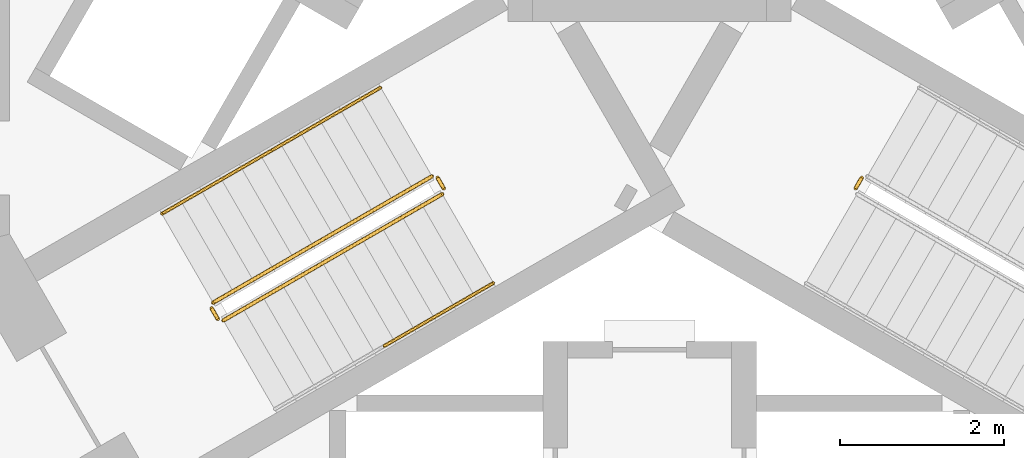
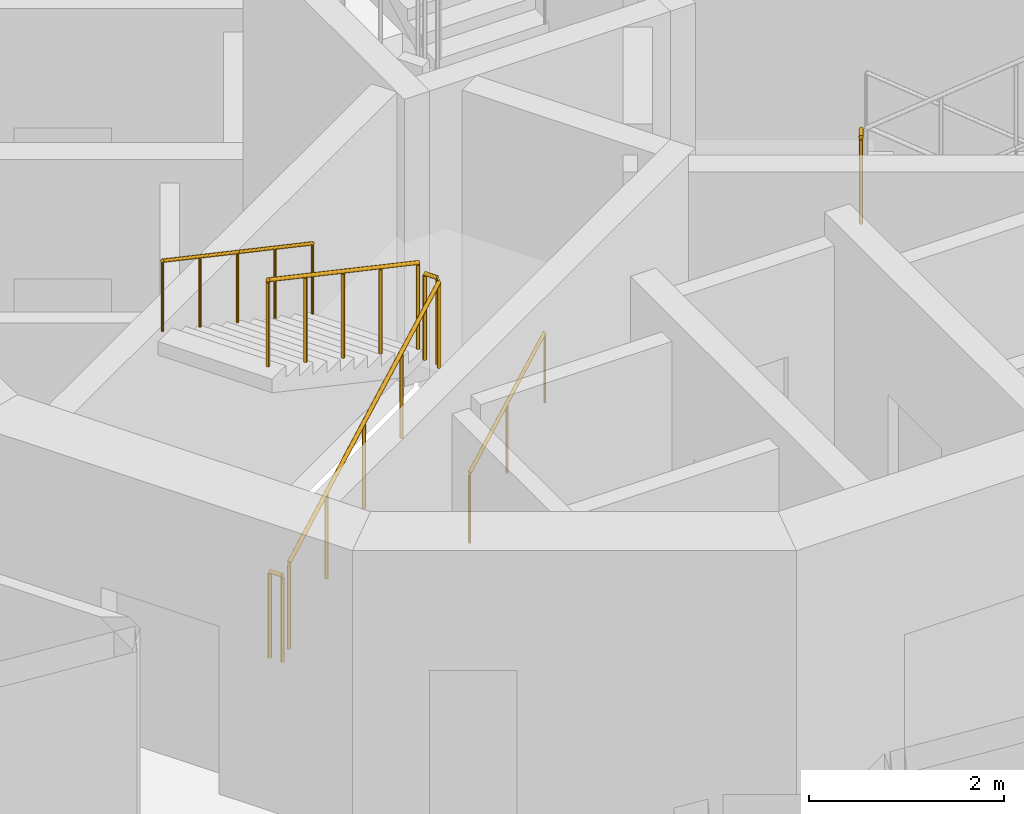
# One storey, part 12 of 17: 8 railings.
"""IFC4 building model written with IfcOpenShell, lengths in metres."""

import ifcopenshell
import ifcopenshell.guid

model = None  # the IFC model being written
_history = None  # IfcOwnerHistory: only IFC2X3 demands one
_inside = {}  # id of a spatial element -> (the spatial element, [elements in it])
_under = {}  # id of a project, library or spatial element -> (it, [spatial elements below it])
_declared = {}  # id of a project -> (the project, [libraries it declares])
_typed = {}  # id of a type object -> (the type object, [elements of that type])
_made_of = {}  # id of a material, layer set ... -> (it, [elements and type objects made of it])


def new_model(schema):
    """Start an empty IFC model of exactly this schema.

    Asked for "IFC4X3", IfcOpenShell would pick the latest addendum, in which some entities
    have other attributes; the version numbers below select the first issue.
    IFC2X3 requires an IfcOwnerHistory on every rooted entity: one is made here for all.
    """
    global model, _history
    if schema == "IFC4X3":
        model = ifcopenshell.file(schema_version=(4, 3, 0, 0))
    else:
        model = ifcopenshell.file(schema=schema)
    _inside.clear()
    _under.clear()
    _declared.clear()
    _typed.clear()
    _made_of.clear()
    _history = None
    if model.schema == "IFC2X3":
        org = make("IfcOrganization", Name="unknown")
        user = make(
            "IfcPersonAndOrganization",
            ThePerson=make("IfcPerson", FamilyName="unknown"),
            TheOrganization=org,
        )
        app = make(
            "IfcApplication",
            ApplicationDeveloper=org,
            Version="unknown",
            ApplicationFullName="unknown",
            ApplicationIdentifier="unknown",
        )
        _history = make(
            "IfcOwnerHistory",
            OwningUser=user,
            OwningApplication=app,
            ChangeAction="ADDED",
            CreationDate=0,
        )
    return model


def make(cls, **values):
    """One entity of the class cls with the attributes given. An attribute that is None is left unset."""
    return model.create_entity(
        cls, **{name: value for name, value in values.items() if value is not None}
    )


def rooted(cls, **values):
    """An entity with a GlobalId (a new one), such as an element, a storey or a relation."""
    return make(cls, GlobalId=ifcopenshell.guid.new(), OwnerHistory=_history, **values)


def si_unit(unit_type, name, prefix=None):
    """IfcSIUnit, for example si_unit("LENGTHUNIT", "METRE", prefix="MILLI")."""
    return make("IfcSIUnit", UnitType=unit_type, Prefix=prefix, Name=name)


def assignment(units):
    """IfcUnitAssignment: the units of a project."""
    return None if units is None else make("IfcUnitAssignment", Units=units)


def point(xyz):
    """IfcCartesianPoint."""
    return None if xyz is None else make("IfcCartesianPoint", Coordinates=xyz)


def direction(xyz):
    """IfcDirection."""
    return None if xyz is None else make("IfcDirection", DirectionRatios=xyz)


def frame(location, z_axis=None, x_axis=None):
    """IfcAxis2Placement3D, a coordinate frame: its origin and axes. An axis left out is left unset."""
    return make(
        "IfcAxis2Placement3D",
        Location=point(location),
        Axis=direction(z_axis),
        RefDirection=direction(x_axis),
    )


def frame_2d(location, x_axis=None):
    """IfcAxis2Placement2D, a coordinate frame in the plane: its origin and x axis."""
    return make(
        "IfcAxis2Placement2D", Location=point(location), RefDirection=direction(x_axis)
    )


def origin():
    """The frame at (0, 0, 0) with its axes left unset."""
    return frame((0.0, 0.0, 0.0))


def origin_2d():
    """The frame at (0, 0) in the plane with its x axis left unset."""
    return frame_2d((0.0, 0.0))


def place(relative_to, where):
    """IfcLocalPlacement: puts the frame where relative to a parent placement (None: the world)."""
    return make(
        "IfcLocalPlacement", PlacementRelTo=relative_to, RelativePlacement=where
    )


def context(
    kind, dimensions, precision=None, world=None, true_north=None, identifier=None
):
    """IfcGeometricRepresentationContext, for example the 3D "Model" context."""
    return make(
        "IfcGeometricRepresentationContext",
        ContextIdentifier=identifier,
        ContextType=kind,
        CoordinateSpaceDimension=dimensions,
        Precision=precision,
        WorldCoordinateSystem=world,
        TrueNorth=true_north,
    )


def subcontext(parent, identifier, kind, view, scale=None):
    """IfcGeometricRepresentationSubContext, for example "Body" below "Model"."""
    return make(
        "IfcGeometricRepresentationSubContext",
        ContextIdentifier=identifier,
        ContextType=kind,
        ParentContext=parent,
        TargetScale=scale,
        TargetView=view,
    )


def project(units=None, contexts=None):
    """IfcProject with its units and contexts."""
    return rooted(
        "IfcProject",
        Name="project",
        RepresentationContexts=contexts,
        UnitsInContext=assignment(units),
    )


def spatial(cls, under=None, at=None, **own):
    """A site, building, storey or space (cls), placed at a placement, below another one or the project."""
    s = rooted(cls, ObjectPlacement=at, **own)
    if under is not None:
        _under.setdefault(under.id(), (under, []))[1].append(s)
    return s


def profile(cls, at=None, kind="AREA", **sizes):
    """A parametric profile (cls). Its sizes go by their IFC names, for example OverallWidth=200.0."""
    return make(cls, ProfileType=kind, Position=at, **sizes)


def circle(**sizes):
    """IfcCircleProfileDef."""
    return profile("IfcCircleProfileDef", **sizes)


def extrude(swept, where, along, depth):
    """IfcExtrudedAreaSolid: the profile swept, set in the frame where, extruded along a direction by depth."""
    return make(
        "IfcExtrudedAreaSolid",
        SweptArea=swept,
        Position=where,
        ExtrudedDirection=direction(along),
        Depth=depth,
    )


def shape(context_of_items, identifier, shape_type, items):
    """IfcShapeRepresentation: the items that make up one representation, for example the "Body"."""
    return make(
        "IfcShapeRepresentation",
        ContextOfItems=context_of_items,
        RepresentationIdentifier=identifier,
        RepresentationType=shape_type,
        Items=items,
    )


def material(Name=None, Category=None):
    """IfcMaterial."""
    return make("IfcMaterial", Name=Name, Category=Category)


def made_of(thing, what):
    """Note that an element or type object is made of a material, layer set ...; save() writes the relation."""
    if what is not None:
        _made_of.setdefault(what.id(), (what, []))[1].append(thing)
    return thing


def type_object(cls, material=None, **own):
    """A type object (cls), such as IfcWallType, which elements share."""
    return made_of(rooted(cls, **own), material)


def element(
    cls,
    number,
    at=None,
    inside=None,
    cuts=None,
    type_object=None,
    material=None,
    context=None,
    identifier="Body",
    shape_type=None,
    held_by="IfcProductDefinitionShape",
    body=None,
    shapes=None,
    **own,
):
    """One element of the class cls, such as IfcWall. Its Tag is "e" and its number.

    at: its placement. inside: the storey or other place that contains it. cuts: it is an
    opening in that element (IfcRelVoidsElement). A single representation is given by context,
    identifier, shape_type and body (its items); several are given by shapes. held_by: the class
    of the entity that holds the representations. save() writes the other relations.
    """
    e = rooted(cls, Tag="e%d" % number, ObjectPlacement=at, **own)
    if body is not None:
        shapes = [shape(context, identifier, shape_type, body)]
    if shapes is not None:
        e.Representation = make(held_by, Representations=shapes)
    if inside is not None:
        _inside.setdefault(inside.id(), (inside, []))[1].append(e)
    if cuts is not None:
        rooted(
            "IfcRelVoidsElement", RelatingBuildingElement=cuts, RelatedOpeningElement=e
        )
    if type_object is not None:
        _typed.setdefault(type_object.id(), (type_object, []))[1].append(e)
    return made_of(e, material)


def aggregate(whole, parts):
    """IfcRelAggregates: a whole, such as a stair, and the parts it consists of."""
    return rooted("IfcRelAggregates", RelatingObject=whole, RelatedObjects=parts)


def save(model, path):
    """Write the relations noted so far, then the file.

    IfcRelAggregates (storeys below a building ...), IfcRelContainedInSpatialStructure (elements
    in a storey), IfcRelDefinesByType, IfcRelAssociatesMaterial and IfcRelDeclares: one each for
    every whole, place, type object, material and project.
    """
    for whole, parts in _under.values():
        aggregate(whole, parts)
    for where, things in _inside.values():
        rooted(
            "IfcRelContainedInSpatialStructure",
            RelatedElements=things,
            RelatingStructure=where,
        )
    for kind, things in _typed.values():
        rooted("IfcRelDefinesByType", RelatedObjects=things, RelatingType=kind)
    for what, things in _made_of.values():
        rooted("IfcRelAssociatesMaterial", RelatedObjects=things, RelatingMaterial=what)
    for by, libraries in _declared.values():
        rooted("IfcRelDeclares", RelatingContext=by, RelatedDefinitions=libraries)
    model.write(path)


model = new_model("IFC4")

# Units and contexts
model_context = context("Model", 3, precision=1e-05, world=origin(), true_north=direction((0.0, 1.0)))
body_context = subcontext(model_context, "Body", "Model", "MODEL_VIEW")
ifc_project = project(units=[si_unit("LENGTHUNIT", "METRE"), si_unit("AREAUNIT", "SQUARE_METRE"), si_unit("VOLUMEUNIT", "CUBIC_METRE"), si_unit("PLANEANGLEUNIT", "RADIAN"), si_unit("MASSUNIT", "GRAM", prefix="KILO")], contexts=[model_context])

# Site, building, storey
site_placement = place(None, origin())
site = spatial("IfcSite", under=ifc_project, at=site_placement, CompositionType="ELEMENT")
building_placement = place(site_placement, origin())
building = spatial("IfcBuilding", under=site, at=building_placement, Name="Trine Commons Tower", CompositionType="ELEMENT")
storey_placement = place(building_placement, frame((0.0, 0.0, 208.800048828125)))
storey = spatial("IfcBuildingStorey", under=building, at=storey_placement, Name="L54", CompositionType="ELEMENT", Elevation=208.800048828125)

# Railings
ifc_material_1 = material(Name="Stainless steel balustrade", Category="steel")
railing_type_1 = type_object("IfcRailingType", Name="Stair guard, steel balustrade 1100", PredefinedType="GUARDRAIL", material=ifc_material_1)
railing_1_placement = place(storey_placement, frame((74.80517578125, 59.3564453125, 0.14990234375)))
element("IfcRailing", 1, at=railing_1_placement, inside=storey, type_object=railing_type_1, Name="L54 ST2C stair guard 1", PredefinedType="GUARDRAIL", context=body_context, shape_type="SweptSolid", body=[
    extrude(circle(Radius=0.02392578125, at=origin_2d()), frame((0.0, 0.0, 1.076171875), z_axis=(0.763379768245, 0.440728498818, 0.472239049384), x_axis=(-0.499992328818, 0.866029832698, 0.0)), (0.0, 0.0, 1.0), 3.494384765625),
    extrude(circle(Radius=0.02099609375, at=origin_2d()), origin(), (0.0, 0.0, 1.0), 1.052001953125),
    extrude(circle(Radius=0.02099609375, at=origin_2d()), frame((0.6669921875, 0.385009765625, 0.41259765625)), (0.0, 0.0, 1.0), 1.052001953125),
    extrude(circle(Radius=0.02099609375, at=origin_2d()), frame((1.333740234375, 0.77001953125, 0.8251953125)), (0.0, 0.0, 1.0), 1.052001953125),
    extrude(circle(Radius=0.02099609375, at=origin_2d()), frame((2.00048828125, 1.155029296875, 1.237548828125)), (0.0, 0.0, 1.0), 1.052001953125),
    extrude(circle(Radius=0.02099609375, at=origin_2d()), frame((2.66748046875, 1.5400390625, 1.650146484375)), (0.0, 0.0, 1.0), 1.052001953125),
])
railing_2_placement = place(storey_placement, frame((77.490966796875, 60.96484375, 1.800048828125)))
element("IfcRailing", 2, at=railing_2_placement, inside=storey, type_object=railing_type_1, Name="L54 ST2C stair guard 2", PredefinedType="GUARDRAIL", context=body_context, shape_type="SweptSolid", body=[
    extrude(circle(Radius=0.02392578125, at=origin_2d()), frame((0.0, 0.0, 1.076171875), z_axis=(-0.501036270542, 0.865426285481, 0.0), x_axis=(-0.865426285481, -0.501036270542, 0.0)), (0.0, 0.0, 1.0), 0.150146484375),
    extrude(circle(Radius=0.02099609375, at=origin_2d()), origin(), (0.0, 0.0, 1.0), 1.052001953125),
    extrude(circle(Radius=0.02099609375, at=origin_2d()), frame((-0.0751953125, 0.1298828125, 0.0)), (0.0, 0.0, 1.0), 1.052001953125),
])
railing_3_placement = place(storey_placement, frame((77.34765625, 61.113037109375, 1.949951171875)))
element("IfcRailing", 3, at=railing_3_placement, inside=storey, type_object=railing_type_1, Name="L54 ST2C stair guard 3", PredefinedType="GUARDRAIL", context=body_context, shape_type="SweptSolid", body=[
    extrude(circle(Radius=0.02392578125, at=origin_2d()), frame((0.0, 0.0, 1.076171875), z_axis=(-0.76340495495, -0.440743040072, 0.472184759798), x_axis=(0.499992328818, -0.866029832698, 0.0)), (0.0, 0.0, 1.0), 3.494140625),
    extrude(circle(Radius=0.02099609375, at=origin_2d()), origin(), (0.0, 0.0, 1.0), 1.052001953125),
    extrude(circle(Radius=0.02099609375, at=origin_2d()), frame((-0.6669921875, -0.385009765625, 0.41259765625)), (0.0, 0.0, 1.0), 1.052001953125),
    extrude(circle(Radius=0.02099609375, at=origin_2d()), frame((-1.333740234375, -0.77001953125, 0.824951171875)), (0.0, 0.0, 1.0), 1.052001953125),
    extrude(circle(Radius=0.02099609375, at=origin_2d()), frame((-2.00048828125, -1.155029296875, 1.2373046875)), (0.0, 0.0, 1.0), 1.052001953125),
    extrude(circle(Radius=0.02099609375, at=origin_2d()), frame((-2.66748046875, -1.5400390625, 1.64990234375)), (0.0, 0.0, 1.0), 1.052001953125),
])
railing_4_placement = place(storey_placement, frame((74.73681640625, 59.374755859375, 0.0)))
element("IfcRailing", 4, at=railing_4_placement, inside=storey, type_object=railing_type_1, Name="L54 ST2C stair guard 4", PredefinedType="GUARDRAIL", context=body_context, shape_type="SweptSolid", body=[
    extrude(circle(Radius=0.02392578125, at=origin_2d()), frame((0.0, 0.0, 1.076171875), z_axis=(-0.499816412211, 0.866131372301, 0.0), x_axis=(-0.866131372301, -0.499816412211, 0.0)), (0.0, 0.0, 1.0), 0.14990234375),
    extrude(circle(Radius=0.02099609375, at=origin_2d()), origin(), (0.0, 0.0, 1.0), 1.052001953125),
    extrude(circle(Radius=0.02099609375, at=origin_2d()), frame((-0.074951171875, 0.1298828125, 0.0)), (0.0, 0.0, 1.0), 1.052001953125),
])
railing_5_placement = place(storey_placement, frame((82.584228515625, 61.0947265625, 1.800048828125)))
element("IfcRailing", 5, at=railing_5_placement, inside=storey, type_object=railing_type_1, Name="L54 ST3C stair guard 2", PredefinedType="GUARDRAIL", context=body_context, shape_type="SweptSolid", body=[
    extrude(circle(Radius=0.02392578125, at=origin_2d()), frame((0.0, 0.0, 1.076171875), z_axis=(-0.501036270542, -0.865426285481, 0.0), x_axis=(0.865426285481, -0.501036270542, 0.0)), (0.0, 0.0, 1.0), 0.150146484375),
    extrude(circle(Radius=0.02099609375, at=origin_2d()), origin(), (0.0, 0.0, 1.0), 1.052001953125),
    extrude(circle(Radius=0.02099609375, at=origin_2d()), frame((-0.0751953125, -0.1298828125, 0.0)), (0.0, 0.0, 1.0), 1.052001953125),
])
ifc_material_2 = material(Name="Stainless steel handrail", Category="steel")
railing_type_2 = type_object("IfcRailingType", Name="Stair handrail, steel 900", PredefinedType="HANDRAIL", material=ifc_material_2)
railing_6_placement = place(storey_placement, frame((76.763916015625, 59.0439453125, 0.974853515625)))
element("IfcRailing", 6, at=railing_6_placement, inside=storey, type_object=railing_type_2, Name="L54 ST2C stair handrail 2", PredefinedType="HANDRAIL", context=body_context, shape_type="SweptSolid", body=[
    extrude(circle(Radius=0.02099609375, at=origin_2d()), frame((0.0, 0.0, 0.87890625), z_axis=(0.763354580307, 0.440713956853, 0.472293333596), x_axis=(-0.499992328818, 0.866029832698, 0.0)), (0.0, 0.0, 1.0), 1.747314453125),
    extrude(circle(Radius=0.01513671875, at=origin_2d()), origin(), (0.0, 0.0, 1.0), 0.85791015625),
    extrude(circle(Radius=0.01513671875, at=origin_2d()), frame((0.6669921875, 0.385009765625, 0.41259765625)), (0.0, 0.0, 1.0), 0.85791015625),
    extrude(circle(Radius=0.01513671875, at=origin_2d()), frame((1.333740234375, 0.77001953125, 0.8251953125)), (0.0, 0.0, 1.0), 0.85791015625),
])
for number, where, name in (
    (7, (76.72265625, 62.195556640625, 1.949951171875), "L54 ST2C stair handrail 3"),
    (8, (75.388916015625, 61.425537109375, 2.77490234375), "L54 ST2C stair handrail 4"),
):
    element("IfcRailing", number, at=place(storey_placement, frame(where)), inside=storey, type_object=railing_type_2, Name=name, PredefinedType="HANDRAIL", context=body_context, shape_type="SweptSolid", body=[
        extrude(circle(Radius=0.02099609375, at=origin_2d()), frame((0.0, 0.0, 0.87890625), z_axis=(-0.76340495495, -0.440743040072, 0.472184759798), x_axis=(0.499992328818, -0.866029832698, 0.0)), (0.0, 0.0, 1.0), 1.7470703125),
        extrude(circle(Radius=0.01513671875, at=origin_2d()), origin(), (0.0, 0.0, 1.0), 0.85791015625),
        extrude(circle(Radius=0.01513671875, at=origin_2d()), frame((-0.6669921875, -0.385009765625, 0.41259765625)), (0.0, 0.0, 1.0), 0.85791015625),
        extrude(circle(Radius=0.01513671875, at=origin_2d()), frame((-1.333740234375, -0.77001953125, 0.824951171875)), (0.0, 0.0, 1.0), 0.85791015625),
    ])

save(model, "model.ifc")
